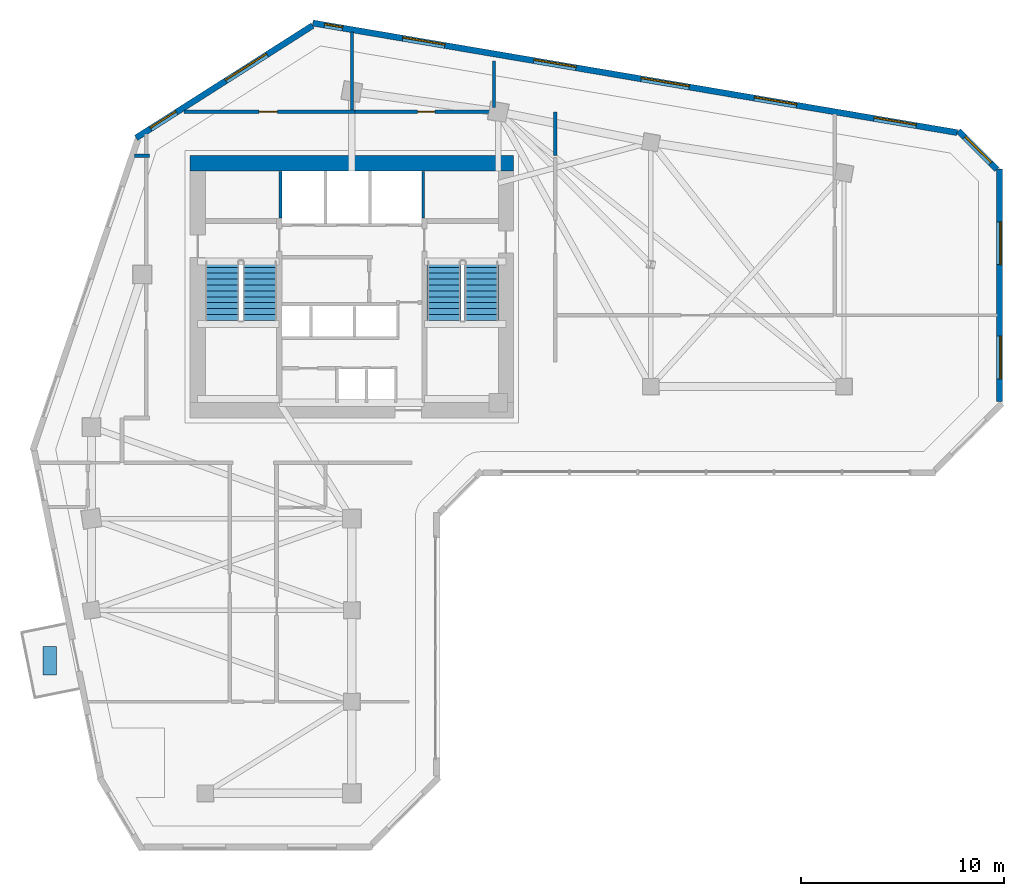
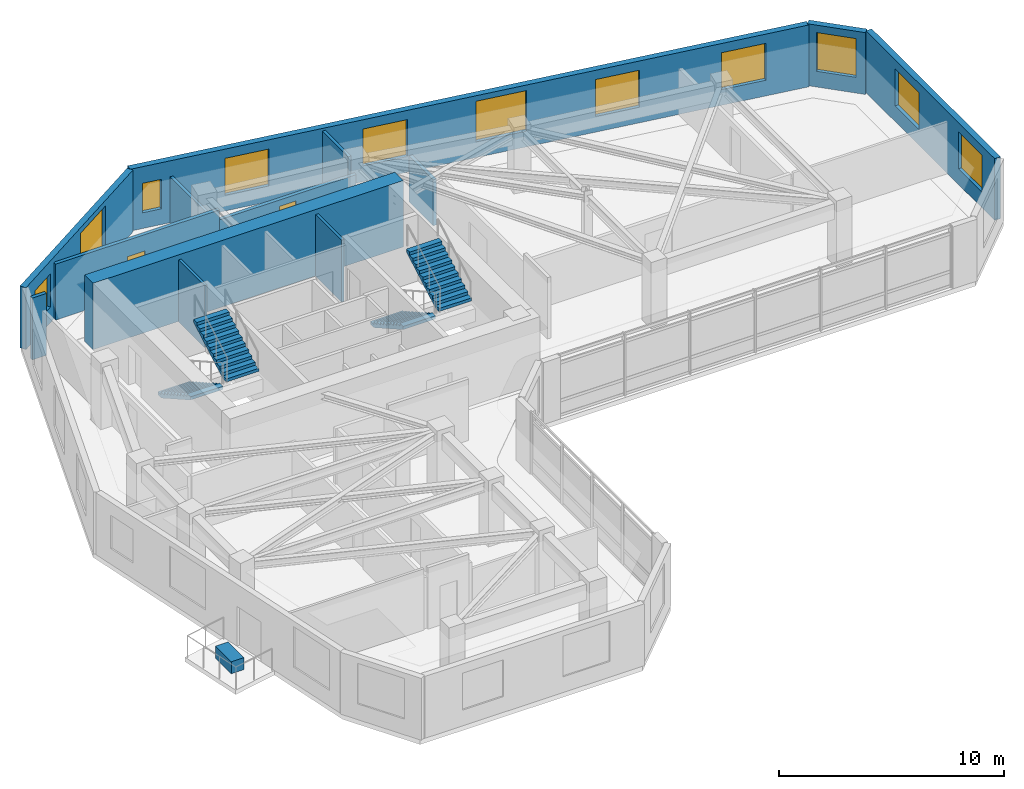
# One storey, part 7 of 10: 13 walls, 11 windows, 4 stair flights, 2 doors, 1 discrete accessory, 13 openings, 2 elements without a shape of their own.
"""IFC4 building model written with IfcOpenShell, lengths in metres."""

from ifc_helpers import new_model, si_unit, direction, frame, frame_2d, origin, origin_2d, place, context, subcontext, project, spatial, polyline, rectangle, outline, extrude, source, transform, mapped, material, layer, layer_set, type_object, element, fill, aggregate, save


model = new_model("IFC4")

# Units and contexts
model_context = context("Model", 3, precision=1e-05, world=origin(), true_north=direction((0.0, 1.0)))
body_context = subcontext(model_context, "Body", "Model", "MODEL_VIEW")
ifc_project = project(units=[si_unit("LENGTHUNIT", "METRE"), si_unit("AREAUNIT", "SQUARE_METRE"), si_unit("VOLUMEUNIT", "CUBIC_METRE"), si_unit("PLANEANGLEUNIT", "RADIAN"), si_unit("MASSUNIT", "GRAM", prefix="KILO")], contexts=[model_context])

# Site, building, storey
site_placement = place(None, origin())
site = spatial("IfcSite", under=ifc_project, at=site_placement, CompositionType="ELEMENT")
building_placement = place(site_placement, origin())
building = spatial("IfcBuilding", under=site, at=building_placement, Name="Calvemar Wedge Station Tower", CompositionType="ELEMENT")
storey_placement = place(building_placement, frame((0.0, 0.0, 164.60009765625)))
storey = spatial("IfcBuildingStorey", under=building, at=storey_placement, Name="L41", CompositionType="ELEMENT", Elevation=164.60009765625)

# Walls
ifc_material_1 = material(Name="Concrete C70", Category="concrete")
ifc_layer_1 = layer(ifc_material_1, 0.75)
ifc_layer_set_1 = layer_set([ifc_layer_1], Name="Concrete C70")
wall_type_1 = type_object("IfcWallType", Name="SW-CORE-750", PredefinedType="SHEAR", material=ifc_layer_set_1)
wall_1_placement = place(storey_placement, frame((15.85009765625, 45.97509765625, 0.0), z_axis=(0.0, 0.0, 1.0), x_axis=(1.0, 0.0, 0.0)))
element("IfcWall", 1, at=wall_1_placement, inside=storey, type_object=wall_type_1, Name="Storey L41 Core Shear Wall N", PredefinedType="SHEAR", context=body_context, shape_type="SweptSolid", body=[
    extrude(rectangle(XDim=15.89990234375, YDim=0.75, at=frame_2d((7.949951171875, 0.0))), origin(), (0.0, 0.0, 1.0), 3.599853515625),
])
ifc_material_2 = material(Name="Double-stud fire-rated corridor partition")
ifc_layer_2 = layer(ifc_material_2, 0.179931640625)
ifc_layer_set_2 = layer_set([ifc_layer_2], Name="Double-stud fire-rated corridor partition")
wall_type_2 = type_object("IfcWallType", Name="W-CORR-180", PredefinedType="PARTITIONING", material=ifc_layer_set_2)
wall_2_placement = place(storey_placement, frame((13.860107421875, 46.35009765625, 0.0), z_axis=(0.0, 0.0, 1.0), x_axis=(-1.0, 0.0, 0.0)))
element("IfcWall", 2, at=wall_2_placement, inside=storey, type_object=wall_type_2, Name="Storey L41 Interior Partition WL-L41-011", PredefinedType="PARTITIONING", context=body_context, shape_type="SweptSolid", body=[
    extrude(rectangle(XDim=0.73486328125, YDim=0.179931640625, at=frame_2d((0.367431640625, 0.0))), origin(), (0.0, 0.0, 1.0), 3.349853515625),
])

# Wall, opening, door
wall_3_placement = place(storey_placement, frame((15.552490234375, 48.5, 0.0), z_axis=(0.0, 0.0, 1.0), x_axis=(1.0, 0.0, 0.0)))
wall_3 = element("IfcWall", 3, at=wall_3_placement, inside=storey, type_object=wall_type_2, Name="Storey L41 Interior Partition WL-L41-012", PredefinedType="PARTITIONING", context=body_context, shape_type="SweptSolid", body=[
    extrude(rectangle(XDim=8.407470703125, YDim=0.179931640625, at=frame_2d((4.20361328125, 0.0))), origin(), (0.0, 0.0, 1.0), 3.033935546875),
])
shared_shape_1 = source(origin(), body_context, "Body", "SweptSolid", [
    extrude(rectangle(XDim=0.89990234375, YDim=2.14990234375, at=frame_2d((0.449951171875, 1.074951171875))), frame((0.0, 0.10009765625, 0.0), z_axis=(0.0, -1.0, 0.0), x_axis=(1.0, 0.0, 0.0)), (0.0, 0.0, 1.0), 0.199951171875),
])
opening_1_placement = place(wall_3_placement, frame((3.69287109375, 0.0, 0.0)))
opening_1 = element("IfcOpeningElement", 4, at=opening_1_placement, cuts=wall_3, Name="Opening D-01", PredefinedType="OPENING", context=body_context, shape_type="MappedRepresentation", body=[
    mapped(shared_shape_1, transform((0.0, 0.0, 0.0), scale=1.0)),
])
ifc_material_3 = material(Name="Architectural hardwood acoustic swing door", Category="wood")
door_type_1 = type_object("IfcDoorType", Name="DR-INT-900", OperationType="NOTDEFINED", PredefinedType="DOOR", material=ifc_material_3)
shared_shape_2 = source(origin(), body_context, "Body", "SweptSolid", [
    extrude(rectangle(XDim=0.89990234375, YDim=2.14990234375, at=frame_2d((0.449951171875, 1.074951171875))), frame((0.0, 0.02490234375, 0.0), z_axis=(0.0, -1.0, 0.0), x_axis=(1.0, 0.0, 0.0)), (0.0, 0.0, 1.0), 0.050048828125),
])
door_1_placement = place(opening_1_placement, origin())
door_1 = element("IfcDoor", 5, at=door_1_placement, inside=storey, type_object=door_type_1, Name="L41 Business Centre Door", OperationType="SINGLE_SWING_LEFT", OverallHeight=2.14990234375, OverallWidth=0.89990234375, PredefinedType="DOOR", context=body_context, shape_type="MappedRepresentation", body=[
    mapped(shared_shape_2, transform((0.0, 0.0, 0.0), scale=1.0)),
])
fill(opening_1, door_1)

wall_4_placement = place(storey_placement, frame((23.9619140625, 48.5, 0.0), z_axis=(0.0, 0.0, 1.0), x_axis=(1.0, 0.0, 0.0)))
wall_4 = element("IfcWall", 6, at=wall_4_placement, inside=storey, type_object=wall_type_2, Name="Storey L41 Interior Partition WL-L41-013", PredefinedType="PARTITIONING", context=body_context, shape_type="SweptSolid", body=[
    extrude(rectangle(XDim=6.998046875, YDim=0.179931640625, at=frame_2d((3.4990234375, 0.0))), origin(), (0.0, 0.0, 1.0), 2.491943359375),
])
shared_shape_3 = source(origin(), body_context, "Body", "SweptSolid", [
    extrude(rectangle(XDim=0.85009765625, YDim=2.14990234375, at=frame_2d((0.425048828125, 1.074951171875))), frame((0.0, 0.10009765625, 0.0), z_axis=(0.0, -1.0, 0.0), x_axis=(1.0, 0.0, 0.0)), (0.0, 0.0, 1.0), 0.199951171875),
])
opening_2_placement = place(wall_4_placement, frame((3.073974609375, 0.0, 0.0)))
opening_2 = element("IfcOpeningElement", 7, at=opening_2_placement, cuts=wall_4, Name="Opening D-02", PredefinedType="OPENING", context=body_context, shape_type="MappedRepresentation", body=[
    mapped(shared_shape_3, transform((0.0, 0.0, 0.0), scale=1.0)),
])
ifc_material_4 = material(Name="Moisture-sealed bathroom hardwood swing door", Category="wood")
door_type_2 = type_object("IfcDoorType", Name="DR-WET-850", OperationType="NOTDEFINED", PredefinedType="DOOR", material=ifc_material_4)
shared_shape_4 = source(origin(), body_context, "Body", "SweptSolid", [
    extrude(rectangle(XDim=0.85009765625, YDim=2.14990234375, at=frame_2d((0.425048828125, 1.074951171875))), frame((0.0, 0.02490234375, 0.0), z_axis=(0.0, -1.0, 0.0), x_axis=(1.0, 0.0, 0.0)), (0.0, 0.0, 1.0), 0.050048828125),
])
door_2_placement = place(opening_2_placement, origin())
door_2 = element("IfcDoor", 8, at=door_2_placement, inside=storey, type_object=door_type_2, Name="L41 Accessible WC Door", OperationType="SINGLE_SWING_RIGHT", OverallHeight=2.14990234375, OverallWidth=0.85009765625, PredefinedType="DOOR", context=body_context, shape_type="MappedRepresentation", body=[
    mapped(shared_shape_4, transform((0.0, 0.0, 0.0), scale=1.0)),
])
fill(opening_2, door_2)

# Wall
wall_5_placement = place(storey_placement, frame((33.800048828125, 48.5, 0.0), z_axis=(0.0, 0.0, 1.0), x_axis=(0.0, -1.0, 0.0)))
element("IfcWall", 9, at=wall_5_placement, inside=storey, type_object=wall_type_2, Name="Storey L41 Interior Partition WL-L41-014", PredefinedType="PARTITIONING", context=body_context, shape_type="SweptSolid", body=[
    extrude(rectangle(XDim=2.14990234375, YDim=0.179931640625, at=frame_2d((1.074951171875, 0.0))), origin(), (0.0, 0.0, 1.0), 2.491943359375),
])

# Wall, openings, windows
ifc_material_5 = material(Name="Precast concrete C45", Category="concrete")
ifc_layer_3 = layer(ifc_material_5, 0.300048828125)
ifc_layer_set_3 = layer_set([ifc_layer_3], Name="Precast concrete C45")
wall_type_3 = type_object("IfcWallType", Name="W-EXT-GFRC-300", PredefinedType="SOLIDWALL", material=ifc_layer_set_3)
wall_6_placement = place(storey_placement, frame((55.64990234375, 34.249267578125, 0.0), z_axis=(0.0, 0.0, 1.0), x_axis=(0.0, 1.0, 0.0)))
wall_6 = element("IfcWall", 10, at=wall_6_placement, inside=storey, type_object=wall_type_3, Name="Storey L41 Bronze GFRC Exterior Wall 8", PredefinedType="SOLIDWALL", context=body_context, shape_type="SweptSolid", body=[
    extrude(rectangle(XDim=11.4306640625, YDim=0.300048828125, at=frame_2d((5.71533203125, 0.0))), origin(), (0.0, 0.0, 1.0), 3.349853515625),
])
shared_shape_5 = source(origin(), body_context, "Body", "SweptSolid", [
    extrude(rectangle(XDim=2.10009765625, YDim=2.0, at=frame_2d((1.050048828125, 1.0))), frame((0.0, 0.16015625, 0.0), z_axis=(0.0, -1.0, 0.0), x_axis=(1.0, 0.0, 0.0)), (0.0, 0.0, 1.0), 0.320068359375),
])
opening_3_placement = place(wall_6_placement, frame((1.125, 0.0, 0.85009765625)))
opening_3 = element("IfcOpeningElement", 11, at=opening_3_placement, cuts=wall_6, Name="Opening W4", PredefinedType="OPENING", context=body_context, shape_type="MappedRepresentation", body=[
    mapped(shared_shape_5, transform((0.0, 0.0, 0.0), scale=1.0)),
])
opening_4_placement = place(wall_6_placement, frame((6.740966796875, 0.0, 0.85009765625)))
opening_4 = element("IfcOpeningElement", 12, at=opening_4_placement, cuts=wall_6, Name="Opening W4", PredefinedType="OPENING", context=body_context, shape_type="MappedRepresentation", body=[
    mapped(shared_shape_5, transform((0.0, 0.0, 0.0), scale=1.0)),
])
ifc_material_6 = material(Name="Low-E laminated insulated glass", Category="glass")
window_type_1 = type_object("IfcWindowType", Name="WIN-EXT-4", PartitioningType="SINGLE_PANEL", PredefinedType="WINDOW", material=ifc_material_6)
shared_shape_6 = source(origin(), body_context, "Body", "SweptSolid", [
    extrude(rectangle(XDim=2.10009765625, YDim=2.0, at=frame_2d((1.050048828125, 1.0))), frame((0.0, -0.014892578125, 0.0), z_axis=(0.0, -1.0, 0.0), x_axis=(1.0, 0.0, 0.0)), (0.0, 0.0, 1.0), 0.06005859375),
])
window_1_placement = place(opening_3_placement, origin())
window_1 = element("IfcWindow", 13, at=window_1_placement, inside=storey, type_object=window_type_1, Name="Storey L41 Recessed Window 8.1", OverallHeight=2.0, OverallWidth=2.10009765625, PartitioningType="SINGLE_PANEL", PredefinedType="WINDOW", context=body_context, shape_type="MappedRepresentation", body=[
    mapped(shared_shape_6, transform((0.0, 0.0, 0.0), scale=1.0)),
])
fill(opening_3, window_1)
window_2_placement = place(opening_4_placement, origin())
window_2 = element("IfcWindow", 14, at=window_2_placement, inside=storey, type_object=window_type_1, Name="Storey L41 Recessed Window 8.2", OverallHeight=2.0, OverallWidth=2.10009765625, PartitioningType="SINGLE_PANEL", PredefinedType="WINDOW", context=body_context, shape_type="MappedRepresentation", body=[
    mapped(shared_shape_6, transform((0.0, 0.0, 0.0), scale=1.0)),
])
fill(opening_4, window_2)

# Wall, opening, window
wall_7_placement = place(storey_placement, frame((55.511962890625, 45.66796875, 0.0), z_axis=(0.0, 0.0, 1.0), x_axis=(-0.707152443695, 0.707061115729, 0.0)))
wall_7 = element("IfcWall", 15, at=wall_7_placement, inside=storey, type_object=wall_type_3, Name="Storey L41 Bronze GFRC Exterior Wall 9", PredefinedType="SOLIDWALL", context=body_context, shape_type="SweptSolid", body=[
    extrude(rectangle(XDim=2.67333984375, YDim=0.300048828125, at=frame_2d((1.336669921875, 0.0))), origin(), (0.0, 0.0, 1.0), 3.349853515625),
])
shared_shape_7 = source(origin(), body_context, "Body", "SweptSolid", [
    extrude(rectangle(XDim=1.800048828125, YDim=2.10009765625, at=frame_2d((0.89990234375, 1.050048828125))), frame((0.0, 0.16015625, 0.0), z_axis=(0.0, -1.0, 0.0), x_axis=(1.0, 0.0, 0.0)), (0.0, 0.0, 1.0), 0.320068359375),
])
opening_5_placement = place(wall_7_placement, frame((0.43701171875, 0.0, 0.85009765625)))
opening_5 = element("IfcOpeningElement", 16, at=opening_5_placement, cuts=wall_7, Name="Opening W2", PredefinedType="OPENING", context=body_context, shape_type="MappedRepresentation", body=[
    mapped(shared_shape_7, transform((0.0, 0.0, 0.0), scale=1.0)),
])
window_type_2 = type_object("IfcWindowType", Name="WIN-EXT-2", PartitioningType="SINGLE_PANEL", PredefinedType="WINDOW", material=ifc_material_6)
shared_shape_8 = source(origin(), body_context, "Body", "SweptSolid", [
    extrude(rectangle(XDim=1.800048828125, YDim=2.10009765625, at=frame_2d((0.89990234375, 1.050048828125))), frame((0.0, -0.014892578125, 0.0), z_axis=(0.0, -1.0, 0.0), x_axis=(1.0, 0.0, 0.0)), (0.0, 0.0, 1.0), 0.06005859375),
])
window_3_placement = place(opening_5_placement, origin())
window_3 = element("IfcWindow", 17, at=window_3_placement, inside=storey, type_object=window_type_2, Name="Storey L41 Recessed Window 9.1", OverallHeight=2.10009765625, OverallWidth=1.800048828125, PartitioningType="SINGLE_PANEL", PredefinedType="WINDOW", context=body_context, shape_type="MappedRepresentation", body=[
    mapped(shared_shape_8, transform((0.0, 0.0, 0.0), scale=1.0)),
])
fill(opening_5, window_3)

# Wall, openings, windows
wall_8_placement = place(storey_placement, frame((53.56103515625, 47.48046875, 0.0), z_axis=(0.0, 0.0, 1.0), x_axis=(-0.985845173895, 0.167658262868, 0.0)))
wall_8 = element("IfcWall", 18, at=wall_8_placement, inside=storey, type_object=wall_type_3, Name="Storey L41 Bronze GFRC Exterior Wall 10", PredefinedType="SOLIDWALL", context=body_context, shape_type="SweptSolid", body=[
    extrude(rectangle(XDim=32.132080078125, YDim=0.300048828125, at=frame_2d((16.06591796875, 0.0))), origin(), (0.0, 0.0, 1.0), 3.349853515625),
])
opening_6_placement = place(wall_8_placement, frame((2.0458984375, 0.0, 0.85009765625)))
opening_6 = element("IfcOpeningElement", 19, at=opening_6_placement, cuts=wall_8, Name="Opening W4", PredefinedType="OPENING", context=body_context, shape_type="MappedRepresentation", body=[
    mapped(shared_shape_5, transform((0.0, 0.0, 0.0), scale=1.0)),
])
opening_7_placement = place(wall_8_placement, frame((8.012939453125, 0.0, 0.85009765625)))
opening_7 = element("IfcOpeningElement", 20, at=opening_7_placement, cuts=wall_8, Name="Opening W4", PredefinedType="OPENING", context=body_context, shape_type="MappedRepresentation", body=[
    mapped(shared_shape_5, transform((0.0, 0.0, 0.0), scale=1.0)),
])
shared_shape_9 = source(origin(), body_context, "Body", "SweptSolid", [
    extrude(rectangle(XDim=2.39990234375, YDim=2.199951171875, at=frame_2d((1.199951171875, 1.10009765625))), frame((0.0, 0.16015625, 0.0), z_axis=(0.0, -1.0, 0.0), x_axis=(1.0, 0.0, 0.0)), (0.0, 0.0, 1.0), 0.320068359375),
])
opening_8_placement = place(wall_8_placement, frame((13.362060546875, 0.0, 0.85009765625)))
opening_8 = element("IfcOpeningElement", 21, at=opening_8_placement, cuts=wall_8, Name="Opening W1", PredefinedType="OPENING", context=body_context, shape_type="MappedRepresentation", body=[
    mapped(shared_shape_9, transform((0.0, 0.0, 0.0), scale=1.0)),
])
opening_9_placement = place(wall_8_placement, frame((19.010986328125, 0.0, 0.85009765625)))
opening_9 = element("IfcOpeningElement", 22, at=opening_9_placement, cuts=wall_8, Name="Opening W4", PredefinedType="OPENING", context=body_context, shape_type="MappedRepresentation", body=[
    mapped(shared_shape_5, transform((0.0, 0.0, 0.0), scale=1.0)),
])
opening_10_placement = place(wall_8_placement, frame((25.550048828125, 0.0, 0.85009765625)))
opening_10 = element("IfcOpeningElement", 23, at=opening_10_placement, cuts=wall_8, Name="Opening W4", PredefinedType="OPENING", context=body_context, shape_type="MappedRepresentation", body=[
    mapped(shared_shape_5, transform((0.0, 0.0, 0.0), scale=1.0)),
])
shared_shape_10 = source(origin(), body_context, "Body", "SweptSolid", [
    extrude(rectangle(XDim=0.89990234375, YDim=1.60009765625, at=frame_2d((0.449951171875, 0.800048828125))), frame((0.0, 0.16015625, 0.0), z_axis=(0.0, -1.0, 0.0), x_axis=(1.0, 0.0, 0.0)), (0.0, 0.0, 1.0), 0.320068359375),
])
opening_11_placement = place(wall_8_placement, frame((30.64990234375, 0.0, 0.85009765625)))
opening_11 = element("IfcOpeningElement", 24, at=opening_11_placement, cuts=wall_8, Name="Opening W7", PredefinedType="OPENING", context=body_context, shape_type="MappedRepresentation", body=[
    mapped(shared_shape_10, transform((0.0, 0.0, 0.0), scale=1.0)),
])
window_4_placement = place(opening_6_placement, origin())
window_4 = element("IfcWindow", 25, at=window_4_placement, inside=storey, type_object=window_type_1, Name="Storey L41 Recessed Window 10.1", OverallHeight=2.0, OverallWidth=2.10009765625, PartitioningType="SINGLE_PANEL", PredefinedType="WINDOW", context=body_context, shape_type="MappedRepresentation", body=[
    mapped(shared_shape_6, transform((0.0, 0.0, 0.0), scale=1.0)),
])
fill(opening_6, window_4)
window_5_placement = place(opening_7_placement, origin())
window_5 = element("IfcWindow", 26, at=window_5_placement, inside=storey, type_object=window_type_1, Name="Storey L41 Recessed Window 10.2", OverallHeight=2.0, OverallWidth=2.10009765625, PartitioningType="SINGLE_PANEL", PredefinedType="WINDOW", context=body_context, shape_type="MappedRepresentation", body=[
    mapped(shared_shape_6, transform((0.0, 0.0, 0.0), scale=1.0)),
])
fill(opening_7, window_5)
window_6_placement = place(opening_9_placement, origin())
window_6 = element("IfcWindow", 27, at=window_6_placement, inside=storey, type_object=window_type_1, Name="Storey L41 Recessed Window 10.4", OverallHeight=2.0, OverallWidth=2.10009765625, PartitioningType="SINGLE_PANEL", PredefinedType="WINDOW", context=body_context, shape_type="MappedRepresentation", body=[
    mapped(shared_shape_6, transform((0.0, 0.0, 0.0), scale=1.0)),
])
fill(opening_9, window_6)
window_7_placement = place(opening_10_placement, origin())
window_7 = element("IfcWindow", 28, at=window_7_placement, inside=storey, type_object=window_type_1, Name="Storey L41 Recessed Window 10.5", OverallHeight=2.0, OverallWidth=2.10009765625, PartitioningType="SINGLE_PANEL", PredefinedType="WINDOW", context=body_context, shape_type="MappedRepresentation", body=[
    mapped(shared_shape_6, transform((0.0, 0.0, 0.0), scale=1.0)),
])
fill(opening_10, window_7)
window_type_3 = type_object("IfcWindowType", Name="WIN-EXT-1", PartitioningType="SINGLE_PANEL", PredefinedType="WINDOW", material=ifc_material_6)
shared_shape_11 = source(origin(), body_context, "Body", "SweptSolid", [
    extrude(rectangle(XDim=2.39990234375, YDim=2.199951171875, at=frame_2d((1.199951171875, 1.10009765625))), frame((0.0, -0.014892578125, 0.0), z_axis=(0.0, -1.0, 0.0), x_axis=(1.0, 0.0, 0.0)), (0.0, 0.0, 1.0), 0.06005859375),
])
window_8_placement = place(opening_8_placement, origin())
window_8 = element("IfcWindow", 29, at=window_8_placement, inside=storey, type_object=window_type_3, Name="Storey L41 Recessed Window 10.3", OverallHeight=2.199951171875, OverallWidth=2.39990234375, PartitioningType="SINGLE_PANEL", PredefinedType="WINDOW", context=body_context, shape_type="MappedRepresentation", body=[
    mapped(shared_shape_11, transform((0.0, 0.0, 0.0), scale=1.0)),
])
fill(opening_8, window_8)
window_type_4 = type_object("IfcWindowType", Name="WIN-EXT-7", PartitioningType="SINGLE_PANEL", PredefinedType="WINDOW", material=ifc_material_6)
shared_shape_12 = source(origin(), body_context, "Body", "SweptSolid", [
    extrude(rectangle(XDim=0.89990234375, YDim=1.60009765625, at=frame_2d((0.449951171875, 0.800048828125))), frame((0.0, -0.014892578125, 0.0), z_axis=(0.0, -1.0, 0.0), x_axis=(1.0, 0.0, 0.0)), (0.0, 0.0, 1.0), 0.06005859375),
])
window_9_placement = place(opening_11_placement, origin())
window_9 = element("IfcWindow", 30, at=window_9_placement, inside=storey, type_object=window_type_4, Name="Storey L41 Recessed Window 10.6", OverallHeight=1.60009765625, OverallWidth=0.89990234375, PartitioningType="SINGLE_PANEL", PredefinedType="WINDOW", context=body_context, shape_type="MappedRepresentation", body=[
    mapped(shared_shape_12, transform((0.0, 0.0, 0.0), scale=1.0)),
])
fill(opening_11, window_9)

wall_9_placement = place(storey_placement, frame((21.874755859375, 52.742431640625, 0.0), z_axis=(0.0, 0.0, 1.0), x_axis=(-0.843662465249, -0.536873956092, 0.0)))
wall_9 = element("IfcWall", 31, at=wall_9_placement, inside=storey, type_object=wall_type_3, Name="Storey L41 Bronze GFRC Exterior Wall 11", PredefinedType="SOLIDWALL", context=body_context, shape_type="SweptSolid", body=[
    extrude(rectangle(XDim=10.283935546875, YDim=0.300048828125, at=frame_2d((5.14208984375, 0.0))), origin(), (0.0, 0.0, 1.0), 3.349853515625),
])
opening_12_placement = place(wall_9_placement, frame((2.656005859375, 0.0, 0.85009765625)))
opening_12 = element("IfcOpeningElement", 32, at=opening_12_placement, cuts=wall_9, Name="Opening W1", PredefinedType="OPENING", context=body_context, shape_type="MappedRepresentation", body=[
    mapped(shared_shape_9, transform((0.0, 0.0, 0.0), scale=1.0)),
])
shared_shape_13 = source(origin(), body_context, "Body", "SweptSolid", [
    extrude(rectangle(XDim=1.5, YDim=1.800048828125, at=frame_2d((0.75, 0.89990234375))), frame((0.0, 0.16015625, 0.0), z_axis=(0.0, -1.0, 0.0), x_axis=(1.0, 0.0, 0.0)), (0.0, 0.0, 1.0), 0.320068359375),
])
opening_13_placement = place(wall_9_placement, frame((7.93701171875, 0.0, 0.85009765625)))
opening_13 = element("IfcOpeningElement", 33, at=opening_13_placement, cuts=wall_9, Name="Opening W3", PredefinedType="OPENING", context=body_context, shape_type="MappedRepresentation", body=[
    mapped(shared_shape_13, transform((0.0, 0.0, 0.0), scale=1.0)),
])
window_10_placement = place(opening_12_placement, origin())
window_10 = element("IfcWindow", 34, at=window_10_placement, inside=storey, type_object=window_type_3, Name="Storey L41 Recessed Window 11.1", OverallHeight=2.199951171875, OverallWidth=2.39990234375, PartitioningType="SINGLE_PANEL", PredefinedType="WINDOW", context=body_context, shape_type="MappedRepresentation", body=[
    mapped(shared_shape_11, transform((0.0, 0.0, 0.0), scale=1.0)),
])
fill(opening_12, window_10)
window_type_5 = type_object("IfcWindowType", Name="WIN-EXT-3", PartitioningType="SINGLE_PANEL", PredefinedType="WINDOW", material=ifc_material_6)
shared_shape_14 = source(origin(), body_context, "Body", "SweptSolid", [
    extrude(rectangle(XDim=1.5, YDim=1.800048828125, at=frame_2d((0.75, 0.89990234375))), frame((0.0, -0.014892578125, 0.0), z_axis=(0.0, -1.0, 0.0), x_axis=(1.0, 0.0, 0.0)), (0.0, 0.0, 1.0), 0.06005859375),
])
window_11_placement = place(opening_13_placement, origin())
window_11 = element("IfcWindow", 35, at=window_11_placement, inside=storey, type_object=window_type_5, Name="Storey L41 Recessed Window 11.2", OverallHeight=1.800048828125, OverallWidth=1.5, PartitioningType="SINGLE_PANEL", PredefinedType="WINDOW", context=body_context, shape_type="MappedRepresentation", body=[
    mapped(shared_shape_14, transform((0.0, 0.0, 0.0), scale=1.0)),
])
fill(opening_13, window_11)

# Walls
ifc_material_7 = material(Name="Reinforced concrete blockwork lift shaft wall", Category="masonry")
ifc_layer_4 = layer(ifc_material_7, 0.139892578125)
ifc_layer_set_4 = layer_set([ifc_layer_4], Name="Reinforced concrete blockwork lift shaft wall")
wall_type_4 = type_object("IfcWallType", Name="W-LIFT-160", PredefinedType="SOLIDWALL", material=ifc_layer_set_4)
for number, where, z_axis, x_axis, name in (
    (36, (20.2900390625, 43.280029296875, 0.0), (0.0, 0.0, 1.0), (0.0, 1.0, 0.0), "Storey L41 Firefighting Lift Shaft Enclosure Wall W"),
    (37, (27.31005859375, 43.280029296875, 0.0), (0.0, 0.0, 1.0), (0.0, 1.0, 0.0), "Storey L41 Firefighting Lift Shaft Enclosure Wall E"),
):
    element("IfcWall", number, at=place(storey_placement, frame(where, z_axis=z_axis, x_axis=x_axis)), inside=storey, type_object=wall_type_4, Name=name, PredefinedType="SOLIDWALL", context=body_context, shape_type="SweptSolid", body=[
        extrude(rectangle(XDim=2.300048828125, YDim=0.139892578125, at=frame_2d((1.14990234375, 0.0))), origin(), (0.0, 0.0, 1.0), 3.349853515625),
    ])
ifc_material_8 = material(Name="Moisture-resistant acoustic bathroom partition")
ifc_layer_5 = layer(ifc_material_8, 0.14990234375)
ifc_layer_set_5 = layer_set([ifc_layer_5], Name="Moisture-resistant acoustic bathroom partition")
wall_type_5 = type_object("IfcWallType", Name="W-WET-150", PredefinedType="PARTITIONING", material=ifc_layer_set_5)
wall_10_placement = place(storey_placement, frame((23.800048828125, 52.425048828125, 0.0), z_axis=(0.0, 0.0, 1.0), x_axis=(0.0, -1.0, 0.0)))
element("IfcWall", 38, at=wall_10_placement, inside=storey, type_object=wall_type_5, Name="Storey L41 Interior Partition WL-L41-019", PredefinedType="PARTITIONING", context=body_context, shape_type="SweptSolid", body=[
    extrude(rectangle(XDim=3.8310546875, YDim=0.14990234375, at=frame_2d((1.91552734375, 0.0))), origin(), (0.0, 0.0, 1.0), 2.491943359375),
])
wall_11_placement = place(storey_placement, frame((30.800048828125, 51.011474609375, 0.0), z_axis=(0.0, 0.0, 1.0), x_axis=(0.0, -1.0, 0.0)))
element("IfcWall", 39, at=wall_11_placement, inside=storey, type_object=wall_type_5, Name="Storey L41 Bathroom Enclosure Wall WL-L41-033", PredefinedType="PARTITIONING", context=body_context, shape_type="SweptSolid", body=[
    extrude(rectangle(XDim=2.29150390625, YDim=0.14990234375, at=frame_2d((1.145751953125, 0.0))), origin(), (0.0, 0.0, 1.0), 3.349853515625),
])

# Stair, stair flights
ifc_material_9 = material(Name="Concrete C45", Category="concrete")
stair_type = type_object("IfcStairType", Name="ST-TYPE-3600", PredefinedType="HALF_TURN_STAIR", material=ifc_material_9)
stair_1_placement = place(storey_placement, origin())
stair_1 = element("IfcStair", 40, at=stair_1_placement, inside=storey, type_object=stair_type, Name="L41 Pressurized Core Exit Stair ST-C1", PredefinedType="HALF_TURN_STAIR")
stair_flight_type = type_object("IfcStairFlightType", Name="STF-TYPE-3600", PredefinedType="STRAIGHT", material=ifc_material_9)
stair_flight_1_placement = place(storey_placement, frame((17.429931640625, 41.14990234375, 0.0), z_axis=(0.0, 0.0, 1.0), x_axis=(0.0, -1.0, 0.0)))
stair_flight_1 = element("IfcStairFlight", 41, at=stair_flight_1_placement, type_object=stair_flight_type, Name="ST-C1 flight 1", NumberOfRisers=11, NumberOfTreads=10, PredefinedType="STRAIGHT", RiserHeight=0.163636364, TreadLength=0.29, context=body_context, shape_type="SweptSolid", body=[
    extrude(outline(polyline([(0.0, 0.0), (0.0, 0.16357421875), (0.2900390625, 0.16357421875), (0.2900390625, 0.327392578125), (0.580078125, 0.327392578125), (0.580078125, 0.490966796875), (0.8701171875, 0.490966796875), (0.8701171875, 0.654541015625), (1.159912109375, 0.654541015625), (1.159912109375, 0.818115234375), (1.449951171875, 0.818115234375), (1.449951171875, 0.98193359375), (1.739990234375, 0.98193359375), (1.739990234375, 1.1455078125), (2.030029296875, 1.1455078125), (2.030029296875, 1.30908203125), (2.320068359375, 1.30908203125), (2.320068359375, 1.47265625), (2.610107421875, 1.47265625), (2.610107421875, 1.636474609375), (2.89990234375, 1.636474609375), (2.89990234375, 1.800048828125), (2.89990234375, 1.46435546875), (0.304931640625, 0.0), (0.0, 0.0)])), frame((0.0, 0.830078125, 0.0), z_axis=(0.0, -1.0, 0.0), x_axis=(1.0, 0.0, 0.0)), (0.0, 0.0, 1.0), 1.659912109375),
])
stair_flight_2_placement = place(storey_placement, frame((19.27001953125, 38.25, 1.7998046875), z_axis=(0.0, 0.0, 1.0), x_axis=(0.0, 1.0, 0.0)))
stair_flight_2 = element("IfcStairFlight", 42, at=stair_flight_2_placement, type_object=stair_flight_type, Name="ST-C1 flight 2", NumberOfRisers=11, NumberOfTreads=10, PredefinedType="STRAIGHT", RiserHeight=0.163636364, TreadLength=0.29, context=body_context, shape_type="SweptSolid", body=[
    extrude(outline(polyline([(0.0, 0.0), (0.0, 0.16357421875), (0.2900390625, 0.16357421875), (0.2900390625, 0.327392578125), (0.580078125, 0.327392578125), (0.580078125, 0.490966796875), (0.8701171875, 0.490966796875), (0.8701171875, 0.654541015625), (1.159912109375, 0.654541015625), (1.159912109375, 0.818115234375), (1.449951171875, 0.818115234375), (1.449951171875, 0.98193359375), (1.739990234375, 0.98193359375), (1.739990234375, 1.1455078125), (2.030029296875, 1.1455078125), (2.030029296875, 1.30908203125), (2.320068359375, 1.30908203125), (2.320068359375, 1.47265625), (2.610107421875, 1.47265625), (2.610107421875, 1.636474609375), (2.89990234375, 1.636474609375), (2.89990234375, 1.800048828125), (2.89990234375, 1.46435546875), (0.304931640625, 0.0), (0.0, 0.0)])), frame((0.0, 0.830078125, 0.0), z_axis=(0.0, -1.0, 0.0), x_axis=(1.0, 0.0, 0.0)), (0.0, 0.0, 1.0), 1.659912109375),
])
aggregate(stair_1, [stair_flight_1, stair_flight_2])

stair_2_placement = place(storey_placement, origin())
stair_2 = element("IfcStair", 43, at=stair_2_placement, inside=storey, type_object=stair_type, Name="L41 Pressurized Core Exit Stair ST-C2", PredefinedType="HALF_TURN_STAIR")
stair_flight_3_placement = place(storey_placement, frame((28.330078125, 41.14990234375, 0.0), z_axis=(0.0, 0.0, 1.0), x_axis=(0.0, -1.0, 0.0)))
stair_flight_3 = element("IfcStairFlight", 44, at=stair_flight_3_placement, type_object=stair_flight_type, Name="ST-C2 flight 1", NumberOfRisers=11, NumberOfTreads=10, PredefinedType="STRAIGHT", RiserHeight=0.163636364, TreadLength=0.29, context=body_context, shape_type="SweptSolid", body=[
    extrude(outline(polyline([(0.0, 0.0), (0.0, 0.16357421875), (0.2900390625, 0.16357421875), (0.2900390625, 0.327392578125), (0.580078125, 0.327392578125), (0.580078125, 0.490966796875), (0.8701171875, 0.490966796875), (0.8701171875, 0.654541015625), (1.159912109375, 0.654541015625), (1.159912109375, 0.818115234375), (1.449951171875, 0.818115234375), (1.449951171875, 0.98193359375), (1.739990234375, 0.98193359375), (1.739990234375, 1.1455078125), (2.030029296875, 1.1455078125), (2.030029296875, 1.30908203125), (2.320068359375, 1.30908203125), (2.320068359375, 1.47265625), (2.610107421875, 1.47265625), (2.610107421875, 1.636474609375), (2.89990234375, 1.636474609375), (2.89990234375, 1.800048828125), (2.89990234375, 1.46435546875), (0.304931640625, 0.0), (0.0, 0.0)])), frame((0.0, 0.830078125, 0.0), z_axis=(0.0, -1.0, 0.0), x_axis=(1.0, 0.0, 0.0)), (0.0, 0.0, 1.0), 1.659912109375),
])
stair_flight_4_placement = place(storey_placement, frame((30.169921875, 38.25, 1.7998046875), z_axis=(0.0, 0.0, 1.0), x_axis=(0.0, 1.0, 0.0)))
stair_flight_4 = element("IfcStairFlight", 45, at=stair_flight_4_placement, type_object=stair_flight_type, Name="ST-C2 flight 2", NumberOfRisers=11, NumberOfTreads=10, PredefinedType="STRAIGHT", RiserHeight=0.163636364, TreadLength=0.29, context=body_context, shape_type="SweptSolid", body=[
    extrude(outline(polyline([(0.0, 0.0), (0.0, 0.16357421875), (0.2900390625, 0.16357421875), (0.2900390625, 0.327392578125), (0.580078125, 0.327392578125), (0.580078125, 0.490966796875), (0.8701171875, 0.490966796875), (0.8701171875, 0.654541015625), (1.159912109375, 0.654541015625), (1.159912109375, 0.818115234375), (1.449951171875, 0.818115234375), (1.449951171875, 0.98193359375), (1.739990234375, 0.98193359375), (1.739990234375, 1.1455078125), (2.030029296875, 1.1455078125), (2.030029296875, 1.30908203125), (2.320068359375, 1.30908203125), (2.320068359375, 1.47265625), (2.610107421875, 1.47265625), (2.610107421875, 1.636474609375), (2.89990234375, 1.636474609375), (2.89990234375, 1.800048828125), (2.89990234375, 1.46435546875), (0.304931640625, 0.0), (0.0, 0.0)])), frame((0.0, 0.830078125, 0.0), z_axis=(0.0, -1.0, 0.0), x_axis=(1.0, 0.0, 0.0)), (0.0, 0.0, 1.0), 1.659912109375),
])
aggregate(stair_2, [stair_flight_3, stair_flight_4])

# Discrete accessory
discrete_accessory_type = type_object("IfcDiscreteAccessoryType", Name="ACC-PLANTER", PredefinedType="USERDEFINED", material=ifc_material_5)
shared_shape_15 = source(origin(), body_context, "Body", "SweptSolid", [
    extrude(rectangle(XDim=0.64990234375, YDim=1.39990234375, at=origin_2d()), origin(), (0.0, 0.0, 1.0), 0.64990234375),
])
discrete_accessory_placement = place(storey_placement, frame((8.952880859375, 21.52099609375, 0.0), z_axis=(0.0, 0.0, 1.0), x_axis=(1.0, 0.0, 0.0)))
element("IfcDiscreteAccessory", 46, at=discrete_accessory_placement, inside=storey, type_object=discrete_accessory_type, Name="Storey L41 Planted Terrace GFRC Planter", ObjectType="PLANTER", PredefinedType="USERDEFINED", context=body_context, shape_type="MappedRepresentation", body=[
    mapped(shared_shape_15, transform((0.0, 0.0, 0.0), scale=1.0)),
])

save(model, "model.ifc")
